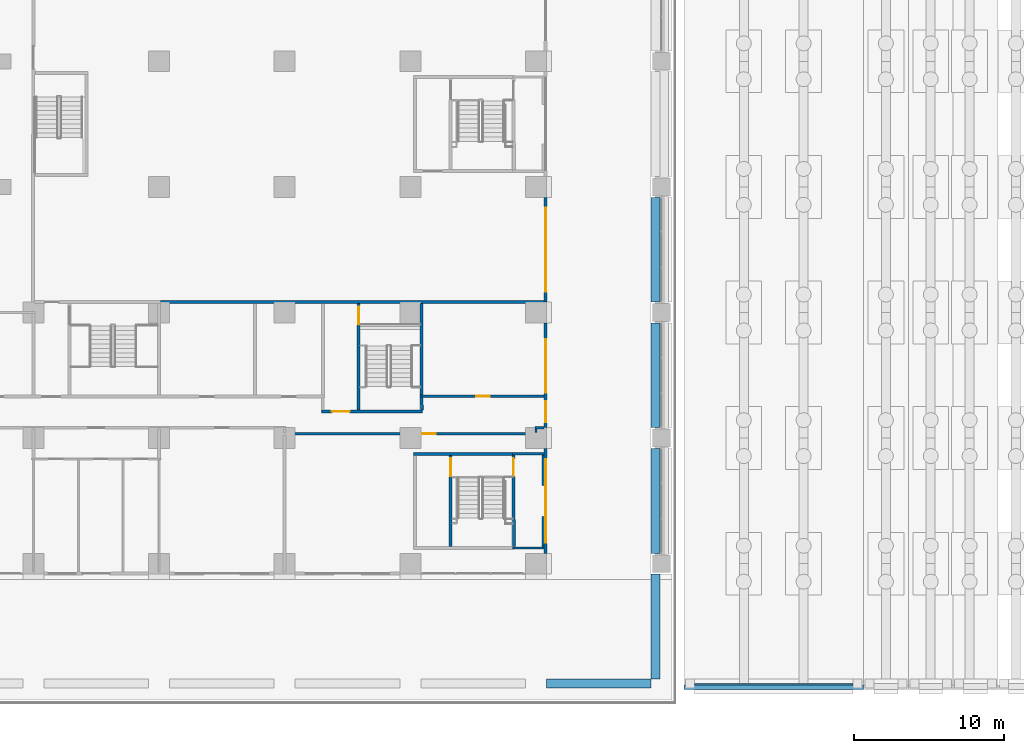
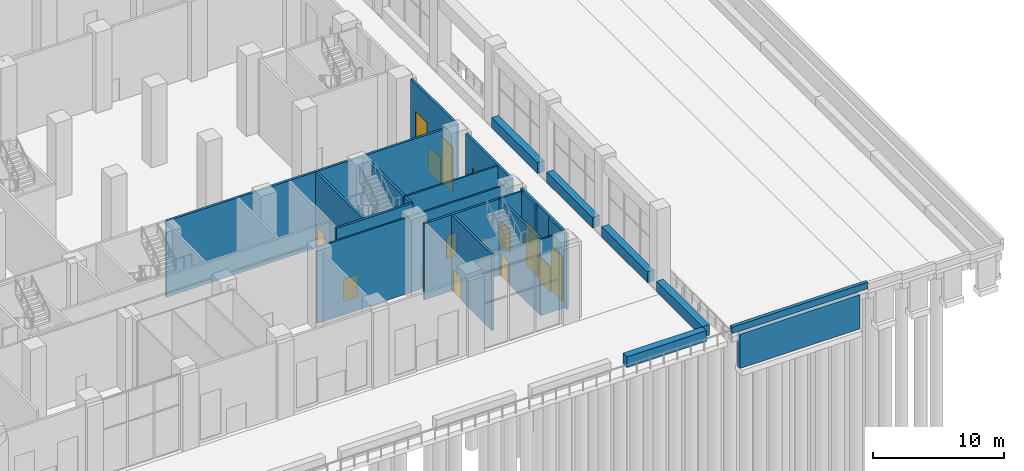
# One storey, part 27 of 53: 26 walls, 9 doors, 5 windows, 14 openings.
"""IFC4 building model written with IfcOpenShell, lengths in metres."""

from ifc_helpers import new_model, si_unit, direction, frame, frame_2d, origin, place, context, subcontext, project, spatial, rectangle, extrude, material, layer, layer_set, type_object, element, fill, save


model = new_model("IFC4")

# Units and contexts
model_context = context("Model", 3, precision=1e-05, world=origin(), true_north=direction((0.0, 1.0)))
body_context = subcontext(model_context, "Body", "Model", "MODEL_VIEW")
ifc_project = project(units=[si_unit("LENGTHUNIT", "METRE"), si_unit("AREAUNIT", "SQUARE_METRE"), si_unit("VOLUMEUNIT", "CUBIC_METRE"), si_unit("PLANEANGLEUNIT", "RADIAN"), si_unit("MASSUNIT", "GRAM", prefix="KILO")], contexts=[model_context])

# Site, building, storey
site_placement = place(None, origin())
site = spatial("IfcSite", under=ifc_project, at=site_placement, CompositionType="ELEMENT")
building_placement = place(site_placement, origin())
building = spatial("IfcBuilding", under=site, at=building_placement, Name="Vermilion Ogive Tower", CompositionType="ELEMENT")
storey_placement = place(building_placement, origin())
storey = spatial("IfcBuildingStorey", under=building, at=storey_placement, Name="L00", CompositionType="ELEMENT", Elevation=0.0)

# Walls
ifc_material_1 = material(Name="Gypsum board partition on steel studs", Category="steel")
ifc_layer_1 = layer(ifc_material_1, 0.14990234375)
ifc_layer_set_1 = layer_set([ifc_layer_1], Name="Partition 150 corridor")
wall_type_1 = type_object("IfcWallType", Name="Partition 150 corridor", PredefinedType="PARTITIONING", material=ifc_layer_set_1)
for number, where, z_axis, x_axis, name in (
    (1, (48.824951171875, -28.35009765625, 0.0), (0.0, 0.0, 1.0), (1.0, 0.0, 0.0), "L00-FS-W-W005"),
    (2, (48.824951171875, -22.050048828125, 0.0), (0.0, 0.0, 1.0), (1.0, 0.0, 0.0), "L00-FS-W-W010"),
):
    element("IfcWall", number, at=place(storey_placement, frame(where, z_axis=z_axis, x_axis=x_axis)), inside=storey, type_object=wall_type_1, Name=name, PredefinedType="PARTITIONING", context=body_context, shape_type="SweptSolid", body=[
        extrude(rectangle(XDim=2.10009765625, YDim=0.14990234375, at=frame_2d((1.050048828125, 0.0))), origin(), (0.0, 0.0, 1.0), 7.10009765625),
    ])

# Wall, opening, door
wall_1_placement = place(storey_placement, frame((33.5, -20.699951171875, 0.0), z_axis=(0.0, 0.0, 1.0), x_axis=(1.0, 0.0, 0.0)))
wall_1 = element("IfcWall", 3, at=wall_1_placement, inside=storey, type_object=wall_type_1, Name="L00-FS-W-W011", PredefinedType="PARTITIONING", context=body_context, shape_type="SweptSolid", body=[
    extrude(rectangle(XDim=16.97509765625, YDim=0.14990234375, at=frame_2d((8.487548828125, 0.0))), origin(), (0.0, 0.0, 1.0), 7.10009765625),
])
opening_1_placement = place(wall_1_placement, frame((9.300048828125, 0.0, 0.0)))
opening_1 = element("IfcOpeningElement", 4, at=opening_1_placement, cuts=wall_1, Name="Opening L00S056", PredefinedType="OPENING", context=body_context, shape_type="SweptSolid", body=[
    extrude(rectangle(XDim=0.89990234375, YDim=2.10009765625, at=frame_2d((0.449951171875, 1.050048828125))), frame((0.0, 0.0849609375, 0.0), z_axis=(0.0, -1.0, 0.0), x_axis=(1.0, 0.0, 0.0)), (0.0, 0.0, 1.0), 0.169921875),
])
ifc_material_2 = material(Name="Timber door leaf", Category="wood")
door_type_1 = type_object("IfcDoorType", Name="Room door 900 x 2100 FD30", OperationType="SINGLE_SWING_LEFT", PredefinedType="DOOR", material=ifc_material_2)
door_1_placement = place(opening_1_placement, origin())
door_1 = element("IfcDoor", 5, at=door_1_placement, inside=storey, type_object=door_type_1, Name="L00-FS-D-D056", OperationType="SINGLE_SWING_RIGHT", OverallHeight=2.10009765625, OverallWidth=0.89990234375, PredefinedType="DOOR", context=body_context, shape_type="SweptSolid", body=[
    extrude(rectangle(XDim=0.89990234375, YDim=2.10009765625, at=frame_2d((0.449951171875, 1.050048828125))), frame((0.0, 0.02490234375, 0.0), z_axis=(0.0, -1.0, 0.0), x_axis=(1.0, 0.0, 0.0)), (0.0, 0.0, 1.0), 0.050048828125),
])
fill(opening_1, door_1)

# Wall
wall_2_placement = place(storey_placement, frame((50.324951171875, -20.300048828125, 0.0), z_axis=(0.0, 0.0, 1.0), x_axis=(1.0, 0.0, 0.0)))
element("IfcWall", 6, at=wall_2_placement, inside=storey, type_object=wall_type_1, Name="L00-FS-W-W013", PredefinedType="PARTITIONING", context=body_context, shape_type="SweptSolid", body=[
    extrude(rectangle(XDim=0.625, YDim=0.14990234375, at=frame_2d((0.3125, 0.0))), origin(), (0.0, 0.0, 1.0), 7.10009765625),
])

# Wall, opening, door
wall_3_placement = place(storey_placement, frame((42.64990234375, -18.199951171875, 0.0), z_axis=(0.0, 0.0, 1.0), x_axis=(1.0, 0.0, 0.0)))
wall_3 = element("IfcWall", 7, at=wall_3_placement, inside=storey, type_object=wall_type_1, Name="L00-FS-W-W021", PredefinedType="PARTITIONING", context=body_context, shape_type="SweptSolid", body=[
    extrude(rectangle(XDim=8.300048828125, YDim=0.14990234375, at=frame_2d((4.14990234375, 0.0))), origin(), (0.0, 0.0, 1.0), 7.10009765625),
])
opening_2_placement = place(wall_3_placement, frame((3.75, 0.0, 0.0)))
opening_2 = element("IfcOpeningElement", 8, at=opening_2_placement, cuts=wall_3, Name="Opening L00S050", PredefinedType="OPENING", context=body_context, shape_type="SweptSolid", body=[
    extrude(rectangle(XDim=0.89990234375, YDim=2.10009765625, at=frame_2d((0.449951171875, 1.050048828125))), frame((0.0, 0.0849609375, 0.0), z_axis=(0.0, -1.0, 0.0), x_axis=(1.0, 0.0, 0.0)), (0.0, 0.0, 1.0), 0.169921875),
])
door_2_placement = place(opening_2_placement, origin())
door_2 = element("IfcDoor", 9, at=door_2_placement, inside=storey, type_object=door_type_1, Name="L00-FS-D-D050", OperationType="SINGLE_SWING_LEFT", OverallHeight=2.10009765625, OverallWidth=0.89990234375, PredefinedType="DOOR", context=body_context, shape_type="SweptSolid", body=[
    extrude(rectangle(XDim=0.89990234375, YDim=2.10009765625, at=frame_2d((0.449951171875, 1.050048828125))), frame((0.0, 0.02490234375, 0.0), z_axis=(0.0, -1.0, 0.0), x_axis=(1.0, 0.0, 0.0)), (0.0, 0.0, 1.0), 0.050048828125),
])
fill(opening_2, door_2)

# Walls
wall_4_placement = place(storey_placement, frame((50.39990234375, -20.625, 0.0), z_axis=(0.0, 0.0, 1.0), x_axis=(0.0, 1.0, 0.0)))
element("IfcWall", 10, at=wall_4_placement, inside=storey, type_object=wall_type_1, Name="L00-FS-W-W125", PredefinedType="PARTITIONING", context=body_context, shape_type="SweptSolid", body=[
    extrude(rectangle(XDim=0.25, YDim=0.14990234375, at=frame_2d((0.125, 0.0))), origin(), (0.0, 0.0, 1.0), 7.10009765625),
])
wall_5_placement = place(storey_placement, frame((50.873046875, -28.27490234375, 0.0), z_axis=(0.0, 0.0, 1.0), x_axis=(0.0, 1.0, 0.0)))
element("IfcWall", 11, at=wall_5_placement, inside=storey, type_object=wall_type_1, Name="L00-FS-W-W126", PredefinedType="PARTITIONING", context=body_context, shape_type="SweptSolid", body=[
    extrude(rectangle(XDim=2.0498046875, YDim=0.14990234375, at=frame_2d((1.02490234375, 0.0))), origin(), (0.0, 0.0, 1.0), 7.10009765625),
])
wall_6_placement = place(storey_placement, frame((50.873046875, -24.175048828125, 0.0), z_axis=(0.0, 0.0, 1.0), x_axis=(0.0, 1.0, 0.0)))
element("IfcWall", 12, at=wall_6_placement, inside=storey, type_object=wall_type_1, Name="L00-FS-W-W126", PredefinedType="PARTITIONING", context=body_context, shape_type="SweptSolid", body=[
    extrude(rectangle(XDim=2.050048828125, YDim=0.14990234375, at=frame_2d((1.02490234375, 0.0))), origin(), (0.0, 0.0, 1.0), 7.10009765625),
])
ifc_material_3 = material(Name="Concrete B45", Category="concrete")
ifc_layer_2 = layer(ifc_material_3, 0.300048828125)
ifc_layer_set_2 = layer_set([ifc_layer_2], Name="Quay edge curb QK1")
wall_type_2 = type_object("IfcWallType", Name="Quay edge curb QK1", PredefinedType="PARAPET", material=ifc_layer_set_2)
wall_7_placement = place(storey_placement, frame((60.300048828125, -37.64990234375, 0.0), z_axis=(0.0, 0.0, 1.0), x_axis=(1.0, 0.0, 0.0)))
element("IfcWall", 13, at=wall_7_placement, inside=storey, type_object=wall_type_2, Name="Quay edge curb PROM S", PredefinedType="PARAPET", context=body_context, shape_type="SweptSolid", body=[
    extrude(rectangle(XDim=12.0, YDim=0.300048828125, at=frame_2d((6.0, 0.0))), origin(), (0.0, 0.0, 1.0), 0.60009765625),
])
ifc_material_4 = material(Name="Concrete B45", Category="concrete")
ifc_layer_3 = layer(ifc_material_4, 0.39990234375)
ifc_layer_set_3 = layer_set([ifc_layer_3], Name="Quay wall QW2 400")
wall_type_3 = type_object("IfcWallType", Name="Quay wall QW2 400", PredefinedType="SOLIDWALL", material=ifc_layer_set_3)
wall_8_placement = place(storey_placement, frame((61.0, -37.60009765625, -3.5), z_axis=(0.0, 0.0, 1.0), x_axis=(1.0, 0.0, 0.0)))
element("IfcWall", 14, at=wall_8_placement, inside=storey, type_object=wall_type_3, Name="Quay wall SITE-PROM S", PredefinedType="SOLIDWALL", context=body_context, shape_type="SweptSolid", body=[
    extrude(rectangle(XDim=10.60009765625, YDim=0.39990234375, at=frame_2d((5.300048828125, 0.0))), origin(), (0.0, 0.0, 1.0), 3.199951171875),
])
ifc_material_5 = material(Name="Concrete B60", Category="concrete")
ifc_layer_4 = layer(ifc_material_5, 0.199951171875)
ifc_layer_set_4 = layer_set([ifc_layer_4], Name="Stair shaft wall 200 Concrete B60")
wall_type_4 = type_object("IfcWallType", Name="Stair shaft wall 200 Concrete B60", PredefinedType="SOLIDWALL", material=ifc_layer_set_4)
wall_9_placement = place(storey_placement, frame((42.199951171875, -22.050048828125, 0.0), z_axis=(0.0, 0.0, 1.0), x_axis=(1.0, 0.0, 0.0)))
element("IfcWall", 15, at=wall_9_placement, inside=storey, type_object=wall_type_4, Name="L00-FS-W-W009", PredefinedType="SOLIDWALL", context=body_context, shape_type="SweptSolid", body=[
    extrude(rectangle(XDim=6.775146484375, YDim=0.199951171875, at=frame_2d((3.3876953125, 0.0))), origin(), (0.0, 0.0, 1.0), 7.10009765625),
])

# Wall, opening, door
wall_10_placement = place(storey_placement, frame((36.074951171875, -19.224853515625, 0.0), z_axis=(0.0, 0.0, 1.0), x_axis=(1.0, 0.0, 0.0)))
wall_10 = element("IfcWall", 16, at=wall_10_placement, inside=storey, type_object=wall_type_4, Name="L00-FS-W-W014", PredefinedType="SOLIDWALL", context=body_context, shape_type="SweptSolid", body=[
    extrude(rectangle(XDim=6.75, YDim=0.199951171875, at=frame_2d((3.375, 0.0))), origin(), (0.0, 0.0, 1.0), 7.10009765625),
])
opening_3_placement = place(wall_10_placement, frame((0.675048828125, 0.0, 0.0)))
opening_3 = element("IfcOpeningElement", 17, at=opening_3_placement, cuts=wall_10, Name="Opening L00S022", PredefinedType="OPENING", context=body_context, shape_type="SweptSolid", body=[
    extrude(rectangle(XDim=1.199951171875, YDim=2.10009765625, at=frame_2d((0.60009765625, 1.050048828125))), frame((0.0, 0.10986328125, 0.0), z_axis=(0.0, -1.0, 0.0), x_axis=(1.0, 0.0, 0.0)), (0.0, 0.0, 1.0), 0.219970703125),
])
ifc_material_6 = material(Name="Timber door leaf", Category="wood")
door_type_2 = type_object("IfcDoorType", Name="Stair door 1200 x 2100 FD60S", OperationType="SINGLE_SWING_LEFT", PredefinedType="DOOR", material=ifc_material_6)
door_3_placement = place(opening_3_placement, origin())
door_3 = element("IfcDoor", 18, at=door_3_placement, inside=storey, type_object=door_type_2, Name="L00-FS-D-D022", OperationType="SINGLE_SWING_LEFT", OverallHeight=2.10009765625, OverallWidth=1.199951171875, PredefinedType="DOOR", context=body_context, shape_type="SweptSolid", body=[
    extrude(rectangle(XDim=1.199951171875, YDim=2.10009765625, at=frame_2d((0.60009765625, 1.050048828125))), frame((0.0, 0.02490234375, 0.0), z_axis=(0.0, -1.0, 0.0), x_axis=(1.0, 0.0, 0.0)), (0.0, 0.0, 1.0), 0.050048828125),
])
fill(opening_3, door_3)

wall_11_placement = place(storey_placement, frame((38.550048828125, -19.125, 0.0), z_axis=(0.0, 0.0, 1.0), x_axis=(0.0, 1.0, 0.0)))
wall_11 = element("IfcWall", 19, at=wall_11_placement, inside=storey, type_object=wall_type_4, Name="L00-FS-W-W109", PredefinedType="SOLIDWALL", context=body_context, shape_type="SweptSolid", body=[
    extrude(rectangle(XDim=7.125, YDim=0.199951171875, at=frame_2d((3.5625, 0.0))), origin(), (0.0, 0.0, 1.0), 7.10009765625),
])
opening_4_placement = place(wall_11_placement, frame((5.72509765625, 0.0, 0.0)))
opening_4 = element("IfcOpeningElement", 20, at=opening_4_placement, cuts=wall_11, Name="Opening L00S006", PredefinedType="OPENING", context=body_context, shape_type="SweptSolid", body=[
    extrude(rectangle(XDim=1.199951171875, YDim=2.10009765625, at=frame_2d((0.60009765625, 1.050048828125))), frame((0.0, 0.10986328125, 0.0), z_axis=(0.0, -1.0, 0.0), x_axis=(1.0, 0.0, 0.0)), (0.0, 0.0, 1.0), 0.219970703125),
])
door_4_placement = place(opening_4_placement, origin())
door_4 = element("IfcDoor", 21, at=door_4_placement, inside=storey, type_object=door_type_2, Name="L00-FS-D-D006", OperationType="DOUBLE_DOOR_SINGLE_SWING", OverallHeight=2.10009765625, OverallWidth=1.199951171875, PredefinedType="DOOR", context=body_context, shape_type="SweptSolid", body=[
    extrude(rectangle(XDim=1.199951171875, YDim=2.10009765625, at=frame_2d((0.60009765625, 1.050048828125))), frame((0.0, 0.02490234375, 0.0), z_axis=(0.0, -1.0, 0.0), x_axis=(1.0, 0.0, 0.0)), (0.0, 0.0, 1.0), 0.050048828125),
])
fill(opening_4, door_4)

# Wall
wall_12_placement = place(storey_placement, frame((42.77490234375, -19.125, 0.0), z_axis=(0.0, 0.0, 1.0), x_axis=(-0.028448302746, 0.99959526513, 0.0)))
element("IfcWall", 22, at=wall_12_placement, inside=storey, type_object=wall_type_4, Name="L00-FS-W-W116", PredefinedType="SOLIDWALL", context=body_context, shape_type="SweptSolid", body=[
    extrude(rectangle(XDim=0.875244140625, YDim=0.199951171875, at=frame_2d((0.4375, 0.0))), origin(), (0.0, 0.0, 1.0), 7.10009765625),
])

# Wall, opening, door
wall_13_placement = place(storey_placement, frame((44.699951171875, -28.25, 0.0), z_axis=(0.0, 0.0, 1.0), x_axis=(0.0, 1.0, 0.0)))
wall_13 = element("IfcWall", 23, at=wall_13_placement, inside=storey, type_object=wall_type_4, Name="L00-FS-W-W119", PredefinedType="SOLIDWALL", context=body_context, shape_type="SweptSolid", body=[
    extrude(rectangle(XDim=6.10009765625, YDim=0.199951171875, at=frame_2d((3.050048828125, 0.0))), origin(), (0.0, 0.0, 1.0), 7.10009765625),
])
opening_5_placement = place(wall_13_placement, frame((4.7001953125, 0.0, 0.0)))
opening_5 = element("IfcOpeningElement", 24, at=opening_5_placement, cuts=wall_13, Name="Opening L00S011", PredefinedType="OPENING", context=body_context, shape_type="SweptSolid", body=[
    extrude(rectangle(XDim=1.199951171875, YDim=2.10009765625, at=frame_2d((0.60009765625, 1.050048828125))), frame((0.0, 0.10986328125, 0.0), z_axis=(0.0, -1.0, 0.0), x_axis=(1.0, 0.0, 0.0)), (0.0, 0.0, 1.0), 0.219970703125),
])
door_5_placement = place(opening_5_placement, origin())
door_5 = element("IfcDoor", 25, at=door_5_placement, inside=storey, type_object=door_type_2, Name="L00-FS-D-D011", OperationType="DOUBLE_DOOR_SINGLE_SWING", OverallHeight=2.10009765625, OverallWidth=1.199951171875, PredefinedType="DOOR", context=body_context, shape_type="SweptSolid", body=[
    extrude(rectangle(XDim=1.199951171875, YDim=2.10009765625, at=frame_2d((0.60009765625, 1.050048828125))), frame((0.0, 0.02490234375, 0.0), z_axis=(0.0, -1.0, 0.0), x_axis=(1.0, 0.0, 0.0)), (0.0, 0.0, 1.0), 0.050048828125),
])
fill(opening_5, door_5)

wall_14_placement = place(storey_placement, frame((48.9248046875, -28.25, 0.0), z_axis=(0.0, 0.0, 1.0), x_axis=(-0.004065655173, 0.99999173519, 0.0)))
wall_14 = element("IfcWall", 26, at=wall_14_placement, inside=storey, type_object=wall_type_4, Name="L00-FS-W-W122", PredefinedType="SOLIDWALL", context=body_context, shape_type="SweptSolid", body=[
    extrude(rectangle(XDim=6.125, YDim=0.199951171875, at=frame_2d((3.0625, 0.0))), origin(), (0.0, 0.0, 1.0), 7.10009765625),
])
opening_6_placement = place(wall_14_placement, frame((4.7001953125, 0.0, 0.0)))
opening_6 = element("IfcOpeningElement", 27, at=opening_6_placement, cuts=wall_14, Name="Opening L00S012", PredefinedType="OPENING", context=body_context, shape_type="SweptSolid", body=[
    extrude(rectangle(XDim=1.199951171875, YDim=2.10009765625, at=frame_2d((0.60009765625, 1.050048828125))), frame((0.0, 0.10986328125, 0.0), z_axis=(0.0, -1.0, 0.0), x_axis=(1.0, 0.0, 0.0)), (0.0, 0.0, 1.0), 0.219970703125),
])
door_6_placement = place(opening_6_placement, origin())
door_6 = element("IfcDoor", 28, at=door_6_placement, inside=storey, type_object=door_type_2, Name="L00-FS-D-D012", OperationType="DOUBLE_DOOR_SINGLE_SWING", OverallHeight=2.10009765625, OverallWidth=1.199951171875, PredefinedType="DOOR", context=body_context, shape_type="SweptSolid", body=[
    extrude(rectangle(XDim=1.199951171875, YDim=2.10009765625, at=frame_2d((0.60009765625, 1.050048828125))), frame((0.0, 0.02490234375, 0.0), z_axis=(0.0, -1.0, 0.0), x_axis=(1.0, 0.0, 0.0)), (0.0, 0.0, 1.0), 0.050048828125),
])
fill(opening_6, door_6)

# Walls
wall_15_placement = place(storey_placement, frame((42.75, -18.125, 0.0), z_axis=(0.0, 0.0, 1.0), x_axis=(0.0, 1.0, 0.0)))
element("IfcWall", 29, at=wall_15_placement, inside=storey, type_object=wall_type_4, Name="L00-FS-W-W117-A", PredefinedType="SOLIDWALL", context=body_context, shape_type="SweptSolid", body=[
    extrude(rectangle(XDim=6.125, YDim=0.199951171875, at=frame_2d((3.0625, 0.0))), origin(), (0.0, 0.0, 1.0), 7.10009765625),
])
wall_16_placement = place(storey_placement, frame((25.300048828125, -11.89990234375, 0.0), z_axis=(0.0, 0.0, 1.0), x_axis=(1.0, 0.0, 0.0)))
element("IfcWall", 30, at=wall_16_placement, inside=storey, type_object=wall_type_4, Name="L00-FS-W-W026-B-A", PredefinedType="SOLIDWALL", context=body_context, shape_type="SweptSolid", body=[
    extrude(rectangle(XDim=25.64990234375, YDim=0.199951171875, at=frame_2d((12.824951171875, 0.0))), origin(), (0.0, 0.0, 1.0), 7.10009765625),
])
ifc_material_7 = material(Name="Concrete B40", Category="concrete")
ifc_layer_5 = layer(ifc_material_7, 0.60009765625)
ifc_layer_set_5 = layer_set([ifc_layer_5], Name="Terrace planter")
wall_type_5 = type_object("IfcWallType", Name="Terrace planter", PredefinedType="USERDEFINED", material=ifc_layer_set_5)
for number, where, z_axis, x_axis, name in (
    (31, (58.39990234375, -4.89990234375, 0.0), (0.0, 0.0, 1.0), (0.0, -1.0, 0.0), "Terrace planter 1.1.18"),
    (32, (58.39990234375, -13.300048828125, 0.0), (0.0, 0.0, 1.0), (0.0, -1.0, 0.0), "Terrace planter 1.1.19"),
    (33, (58.39990234375, -21.699951171875, 0.0), (0.0, 0.0, 1.0), (0.0, -1.0, 0.0), "Terrace planter 1.1.20"),
    (34, (58.39990234375, -30.10009765625, 0.0), (0.0, 0.0, 1.0), (0.0, -1.0, 0.0), "Terrace planter 1.1.21"),
    (35, (58.10009765625, -37.39990234375, 0.0), (0.0, 0.0, 1.0), (-1.0, 0.0, 0.0), "Terrace planter 1.1.22"),
):
    element("IfcWall", number, at=place(storey_placement, frame(where, z_axis=z_axis, x_axis=x_axis)), inside=storey, type_object=wall_type_5, Name=name, ObjectType="PLANTER", PredefinedType="USERDEFINED", context=body_context, shape_type="SweptSolid", body=[
        extrude(rectangle(XDim=7.0, YDim=0.60009765625, at=frame_2d((3.5, 0.0))), origin(), (0.0, 0.0, 1.0), 1.0),
    ])

# Wall, openings, windows, door
ifc_material_8 = material(Name="Aluminium window wall framing", Category="aluminium")
ifc_layer_6 = layer(ifc_material_8, 0.199951171875)
ifc_layer_set_6 = layer_set([ifc_layer_6], Name="Window wall")
wall_type_6 = type_object("IfcWallType", Name="Window wall", PredefinedType="STANDARD", material=ifc_layer_set_6)
wall_17_placement = place(storey_placement, frame((51.050048828125, -21.699951171875, 0.0), z_axis=(0.0, 0.0, 1.0), x_axis=(0.0, -1.0, 0.0)))
wall_17 = element("IfcWall", 36, at=wall_17_placement, inside=storey, type_object=wall_type_6, Name="Window wall E1", PredefinedType="STANDARD", context=body_context, shape_type="SweptSolid", body=[
    extrude(rectangle(XDim=7.0, YDim=0.199951171875, at=frame_2d((3.5, 0.0))), origin(), (0.0, 0.0, 1.0), 7.10009765625),
])
opening_7_placement = place(wall_17_placement, frame((4.5, 0.0, 0.300048828125)))
opening_7 = element("IfcOpeningElement", 37, at=opening_7_placement, cuts=wall_17, Name="Opening P-E1A", PredefinedType="OPENING", context=body_context, shape_type="SweptSolid", body=[
    extrude(rectangle(XDim=1.800048828125, YDim=4.199951171875, at=frame_2d((0.89990234375, 2.10009765625))), frame((0.0, 0.10986328125, 0.0), z_axis=(0.0, -1.0, 0.0), x_axis=(1.0, 0.0, 0.0)), (0.0, 0.0, 1.0), 0.219970703125),
])
opening_8_placement = place(wall_17_placement, frame((2.60009765625, 0.0, 0.0)))
opening_8 = element("IfcOpeningElement", 38, at=opening_8_placement, cuts=wall_17, Name="Opening D2-E1", PredefinedType="OPENING", context=body_context, shape_type="SweptSolid", body=[
    extrude(rectangle(XDim=1.800048828125, YDim=2.39990234375, at=frame_2d((0.89990234375, 1.199951171875))), frame((0.0, 0.10986328125, 0.0), z_axis=(0.0, -1.0, 0.0), x_axis=(1.0, 0.0, 0.0)), (0.0, 0.0, 1.0), 0.219970703125),
])
opening_9_placement = place(wall_17_placement, frame((0.699951171875, 0.0, 0.300048828125)))
opening_9 = element("IfcOpeningElement", 39, at=opening_9_placement, cuts=wall_17, Name="Opening P-E1B", PredefinedType="OPENING", context=body_context, shape_type="SweptSolid", body=[
    extrude(rectangle(XDim=1.800048828125, YDim=4.199951171875, at=frame_2d((0.89990234375, 2.10009765625))), frame((0.0, 0.10986328125, 0.0), z_axis=(0.0, -1.0, 0.0), x_axis=(1.0, 0.0, 0.0)), (0.0, 0.0, 1.0), 0.219970703125),
])
ifc_material_9 = material(Name="Aluminium framed double glazing", Category="aluminium")
window_type_1 = type_object("IfcWindowType", Name="Podium window P 1800x4200 sill 300", PartitioningType="SINGLE_PANEL", PredefinedType="WINDOW", material=ifc_material_9)
window_1_placement = place(opening_7_placement, origin())
window_1 = element("IfcWindow", 40, at=window_1_placement, inside=storey, type_object=window_type_1, Name="Window E1A", OverallHeight=4.199951171875, OverallWidth=1.800048828125, PartitioningType="SINGLE_PANEL", PredefinedType="WINDOW", context=body_context, shape_type="SweptSolid", body=[
    extrude(rectangle(XDim=1.800048828125, YDim=4.199951171875, at=frame_2d((0.89990234375, 2.10009765625))), frame((0.0, 0.030029296875, 0.0), z_axis=(0.0, -1.0, 0.0), x_axis=(1.0, 0.0, 0.0)), (0.0, 0.0, 1.0), 0.06005859375),
])
fill(opening_7, window_1)
window_2_placement = place(opening_9_placement, origin())
window_2 = element("IfcWindow", 41, at=window_2_placement, inside=storey, type_object=window_type_1, Name="Window E1B", OverallHeight=4.199951171875, OverallWidth=1.800048828125, PartitioningType="SINGLE_PANEL", PredefinedType="WINDOW", context=body_context, shape_type="SweptSolid", body=[
    extrude(rectangle(XDim=1.800048828125, YDim=4.199951171875, at=frame_2d((0.89990234375, 2.10009765625))), frame((0.0, 0.030029296875, 0.0), z_axis=(0.0, -1.0, 0.0), x_axis=(1.0, 0.0, 0.0)), (0.0, 0.0, 1.0), 0.06005859375),
])
fill(opening_9, window_2)
ifc_material_10 = material(Name="Aluminium framed glazed door", Category="aluminium")
door_type_3 = type_object("IfcDoorType", Name="Terrace door D2", OperationType="SINGLE_SWING_LEFT", PredefinedType="DOOR", material=ifc_material_10)
door_7_placement = place(opening_8_placement, origin())
door_7 = element("IfcDoor", 42, at=door_7_placement, inside=storey, type_object=door_type_3, Name="Terrace door E1", OperationType="SINGLE_SWING_LEFT", OverallHeight=2.39990234375, OverallWidth=1.800048828125, PredefinedType="DOOR", context=body_context, shape_type="SweptSolid", body=[
    extrude(rectangle(XDim=1.800048828125, YDim=2.39990234375, at=frame_2d((0.89990234375, 1.199951171875))), frame((0.0, 0.02490234375, 0.0), z_axis=(0.0, -1.0, 0.0), x_axis=(1.0, 0.0, 0.0)), (0.0, 0.0, 1.0), 0.050048828125),
])
fill(opening_8, door_7)

# Wall, openings, door, window
wall_18_placement = place(storey_placement, frame((51.050048828125, -13.300048828125, 0.0), z_axis=(0.0, 0.0, 1.0), x_axis=(0.0, -1.0, 0.0)))
wall_18 = element("IfcWall", 43, at=wall_18_placement, inside=storey, type_object=wall_type_6, Name="Window wall E2", PredefinedType="STANDARD", context=body_context, shape_type="SweptSolid", body=[
    extrude(rectangle(XDim=7.0, YDim=0.199951171875, at=frame_2d((3.5, 0.0))), origin(), (0.0, 0.0, 1.0), 7.10009765625),
])
opening_10_placement = place(wall_18_placement, frame((1.080078125, 0.0, 0.300048828125)))
opening_10 = element("IfcOpeningElement", 44, at=opening_10_placement, cuts=wall_18, Name="Opening P-E2", PredefinedType="OPENING", context=body_context, shape_type="SweptSolid", body=[
    extrude(rectangle(XDim=3.60009765625, YDim=4.199951171875, at=frame_2d((1.800048828125, 2.10009765625))), frame((0.0, 0.10986328125, 0.0), z_axis=(0.0, -1.0, 0.0), x_axis=(1.0, 0.0, 0.0)), (0.0, 0.0, 1.0), 0.219970703125),
])
opening_11_placement = place(wall_18_placement, frame((5.25, 0.0, 0.0)))
opening_11 = element("IfcOpeningElement", 45, at=opening_11_placement, cuts=wall_18, Name="Opening X1-E2", PredefinedType="OPENING", context=body_context, shape_type="SweptSolid", body=[
    extrude(rectangle(XDim=1.39990234375, YDim=2.10009765625, at=frame_2d((0.699951171875, 1.050048828125))), frame((0.0, 0.10986328125, 0.0), z_axis=(0.0, -1.0, 0.0), x_axis=(1.0, 0.0, 0.0)), (0.0, 0.0, 1.0), 0.219970703125),
])
ifc_material_11 = material(Name="Aluminium framed glazed door", Category="aluminium")
door_type_4 = type_object("IfcDoorType", Name="Exit door X1", OperationType="SINGLE_SWING_LEFT", PredefinedType="DOOR", material=ifc_material_11)
door_8_placement = place(opening_11_placement, origin())
door_8 = element("IfcDoor", 46, at=door_8_placement, inside=storey, type_object=door_type_4, Name="Exit door E2", OperationType="SINGLE_SWING_LEFT", OverallHeight=2.10009765625, OverallWidth=1.39990234375, PredefinedType="DOOR", context=body_context, shape_type="SweptSolid", body=[
    extrude(rectangle(XDim=1.39990234375, YDim=2.10009765625, at=frame_2d((0.699951171875, 1.050048828125))), frame((0.0, 0.02490234375, 0.0), z_axis=(0.0, -1.0, 0.0), x_axis=(1.0, 0.0, 0.0)), (0.0, 0.0, 1.0), 0.050048828125),
])
fill(opening_11, door_8)
ifc_material_12 = material(Name="Aluminium framed double glazing", Category="aluminium")
window_type_2 = type_object("IfcWindowType", Name="Podium window P 3600x4200 sill 300", PartitioningType="SINGLE_PANEL", PredefinedType="WINDOW", material=ifc_material_12)
window_3_placement = place(opening_10_placement, origin())
window_3 = element("IfcWindow", 47, at=window_3_placement, inside=storey, type_object=window_type_2, Name="Window E2", OverallHeight=4.199951171875, OverallWidth=3.60009765625, PartitioningType="SINGLE_PANEL", PredefinedType="WINDOW", context=body_context, shape_type="SweptSolid", body=[
    extrude(rectangle(XDim=3.60009765625, YDim=4.199951171875, at=frame_2d((1.800048828125, 2.10009765625))), frame((0.0, 0.030029296875, 0.0), z_axis=(0.0, -1.0, 0.0), x_axis=(1.0, 0.0, 0.0)), (0.0, 0.0, 1.0), 0.06005859375),
])
fill(opening_10, window_3)

# Wall, openings, windows, door
wall_19_placement = place(storey_placement, frame((51.050048828125, -4.89990234375, 0.0), z_axis=(0.0, 0.0, 1.0), x_axis=(0.0, -1.0, 0.0)))
wall_19 = element("IfcWall", 48, at=wall_19_placement, inside=storey, type_object=wall_type_6, Name="Window wall E3", PredefinedType="STANDARD", context=body_context, shape_type="SweptSolid", body=[
    extrude(rectangle(XDim=7.0, YDim=0.199951171875, at=frame_2d((3.5, 0.0))), origin(), (0.0, 0.0, 1.0), 7.10009765625),
])
opening_12_placement = place(wall_19_placement, frame((4.5, 0.0, 0.300048828125)))
opening_12 = element("IfcOpeningElement", 49, at=opening_12_placement, cuts=wall_19, Name="Opening P-E3A", PredefinedType="OPENING", context=body_context, shape_type="SweptSolid", body=[
    extrude(rectangle(XDim=1.800048828125, YDim=4.199951171875, at=frame_2d((0.89990234375, 2.10009765625))), frame((0.0, 0.10986328125, 0.0), z_axis=(0.0, -1.0, 0.0), x_axis=(1.0, 0.0, 0.0)), (0.0, 0.0, 1.0), 0.219970703125),
])
opening_13_placement = place(wall_19_placement, frame((2.60009765625, 0.0, 0.0)))
opening_13 = element("IfcOpeningElement", 50, at=opening_13_placement, cuts=wall_19, Name="Opening D2-E3", PredefinedType="OPENING", context=body_context, shape_type="SweptSolid", body=[
    extrude(rectangle(XDim=1.800048828125, YDim=2.39990234375, at=frame_2d((0.89990234375, 1.199951171875))), frame((0.0, 0.10986328125, 0.0), z_axis=(0.0, -1.0, 0.0), x_axis=(1.0, 0.0, 0.0)), (0.0, 0.0, 1.0), 0.219970703125),
])
opening_14_placement = place(wall_19_placement, frame((0.699951171875, 0.0, 0.300048828125)))
opening_14 = element("IfcOpeningElement", 51, at=opening_14_placement, cuts=wall_19, Name="Opening P-E3B", PredefinedType="OPENING", context=body_context, shape_type="SweptSolid", body=[
    extrude(rectangle(XDim=1.800048828125, YDim=4.199951171875, at=frame_2d((0.89990234375, 2.10009765625))), frame((0.0, 0.10986328125, 0.0), z_axis=(0.0, -1.0, 0.0), x_axis=(1.0, 0.0, 0.0)), (0.0, 0.0, 1.0), 0.219970703125),
])
window_4_placement = place(opening_12_placement, origin())
window_4 = element("IfcWindow", 52, at=window_4_placement, inside=storey, type_object=window_type_1, Name="Window E3A", OverallHeight=4.199951171875, OverallWidth=1.800048828125, PartitioningType="SINGLE_PANEL", PredefinedType="WINDOW", context=body_context, shape_type="SweptSolid", body=[
    extrude(rectangle(XDim=1.800048828125, YDim=4.199951171875, at=frame_2d((0.89990234375, 2.10009765625))), frame((0.0, 0.030029296875, 0.0), z_axis=(0.0, -1.0, 0.0), x_axis=(1.0, 0.0, 0.0)), (0.0, 0.0, 1.0), 0.06005859375),
])
fill(opening_12, window_4)
window_5_placement = place(opening_14_placement, origin())
window_5 = element("IfcWindow", 53, at=window_5_placement, inside=storey, type_object=window_type_1, Name="Window E3B", OverallHeight=4.199951171875, OverallWidth=1.800048828125, PartitioningType="SINGLE_PANEL", PredefinedType="WINDOW", context=body_context, shape_type="SweptSolid", body=[
    extrude(rectangle(XDim=1.800048828125, YDim=4.199951171875, at=frame_2d((0.89990234375, 2.10009765625))), frame((0.0, 0.030029296875, 0.0), z_axis=(0.0, -1.0, 0.0), x_axis=(1.0, 0.0, 0.0)), (0.0, 0.0, 1.0), 0.06005859375),
])
fill(opening_14, window_5)
door_9_placement = place(opening_13_placement, origin())
door_9 = element("IfcDoor", 54, at=door_9_placement, inside=storey, type_object=door_type_3, Name="Terrace door E3", OperationType="SINGLE_SWING_LEFT", OverallHeight=2.39990234375, OverallWidth=1.800048828125, PredefinedType="DOOR", context=body_context, shape_type="SweptSolid", body=[
    extrude(rectangle(XDim=1.800048828125, YDim=2.39990234375, at=frame_2d((0.89990234375, 1.199951171875))), frame((0.0, 0.02490234375, 0.0), z_axis=(0.0, -1.0, 0.0), x_axis=(1.0, 0.0, 0.0)), (0.0, 0.0, 1.0), 0.050048828125),
])
fill(opening_13, door_9)

save(model, "model.ifc")
